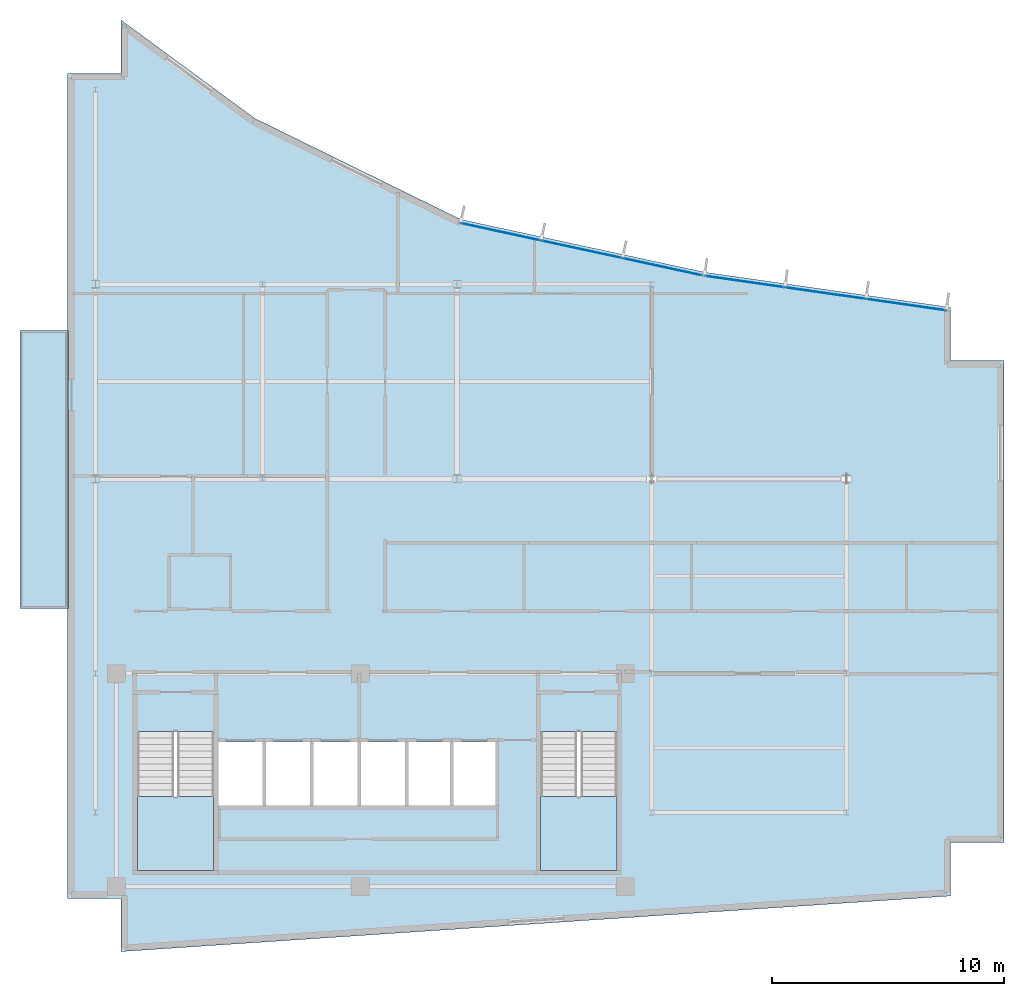
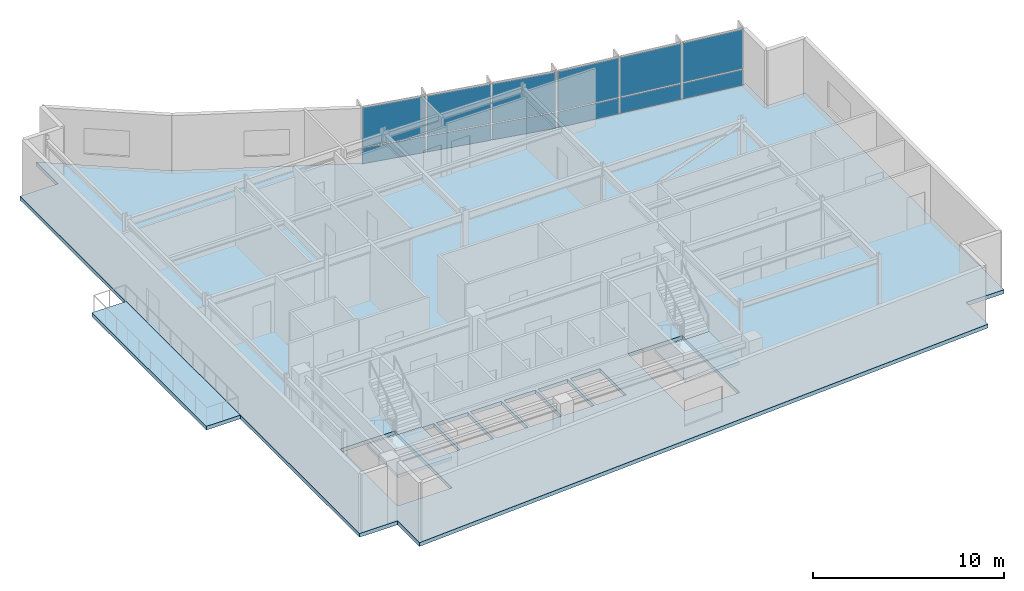
# One storey, part 9 of 16: 12 plates, 4 slabs, 4 elements without a shape of their own.
"""IFC4 building model written with IfcOpenShell, lengths in metres."""

from ifc_helpers import new_model, si_unit, direction, frame, origin, origin_2d, place, context, subcontext, project, spatial, polyline, rectangle, outline, extrude, material, layer, layer_set, type_object, element, aggregate, save


model = new_model("IFC4")

# Units and contexts
model_context = context("Model", 3, precision=1e-05, world=origin(), true_north=direction((0.0, 1.0)))
body_context = subcontext(model_context, "Body", "Model", "MODEL_VIEW")
ifc_project = project(units=[si_unit("LENGTHUNIT", "METRE"), si_unit("AREAUNIT", "SQUARE_METRE"), si_unit("VOLUMEUNIT", "CUBIC_METRE"), si_unit("PLANEANGLEUNIT", "RADIAN"), si_unit("MASSUNIT", "GRAM", prefix="KILO")], contexts=[model_context])

# Site, building, storey
site_placement = place(None, origin())
site = spatial("IfcSite", under=ifc_project, at=site_placement, CompositionType="ELEMENT")
building_placement = place(site_placement, origin())
building = spatial("IfcBuilding", under=site, at=building_placement, Name="Varnakote Quay Hospital", CompositionType="ELEMENT")
storey_placement = place(building_placement, frame((0.0, 0.0, 288.14990234375)))
storey = spatial("IfcBuildingStorey", under=building, at=storey_placement, Name="L71", CompositionType="ELEMENT", Elevation=288.14990234375)

# Curtain wall, plates
ifc_material_1 = material(Name="Anodised aluminium 6063-T6 Bronze", Category="aluminium")
ifc_layer_1 = layer(ifc_material_1, 0.235107421875)
ifc_layer_set_1 = layer_set([ifc_layer_1], Name="Anodised aluminium 6063-T6 Bronze")
curtain_wall_type = type_object("IfcCurtainWallType", Name="CW-SYS-5", PredefinedType="NOTDEFINED", material=ifc_layer_set_1)
curtain_wall_1_placement = place(storey_placement, origin())
curtain_wall_1 = element("IfcCurtainWall", 1, at=curtain_wall_1_placement, inside=storey, type_object=curtain_wall_type, Name="L71 Unitised Bronze Curtain Wall 1", PredefinedType="NOTDEFINED")
ifc_material_2 = material(Name="Double-glazed low-E solar glass", Category="glass")
ifc_layer_2 = layer(ifc_material_2, 0.028076171875)
ifc_layer_set_2 = layer_set([ifc_layer_2], Name="Double-glazed low-E solar glass")
plate_type = type_object("IfcPlateType", Name="CW-PNL-GLZ-28", PredefinedType="CURTAIN_PANEL", material=ifc_layer_set_2)
plate_1_placement = place(storey_placement, frame((36.174560546875, 27.913818359375, 0.065185546875), z_axis=(0.0, 0.0, 1.0), x_axis=(-0.989927979062, 0.141571876691, 0.0)))
plate_1 = element("IfcPlate", 2, at=plate_1_placement, type_object=plate_type, Name="-5-L71-1 panel 1.1", PredefinedType="CURTAIN_PANEL", context=body_context, shape_type="SweptSolid", body=[
    extrude(rectangle(XDim=3.436767578125, YDim=0.028076171875, at=origin_2d()), origin(), (0.0, 0.0, 1.0), 1.00244140625),
])
plate_2_placement = place(storey_placement, frame((36.174560546875, 27.913818359375, 1.1328125), z_axis=(0.0, 0.0, 1.0), x_axis=(-0.989927979062, 0.141571876691, 0.0)))
plate_2 = element("IfcPlate", 3, at=plate_2_placement, type_object=plate_type, Name="-5-L71-1 panel 1.2", PredefinedType="CURTAIN_PANEL", context=body_context, shape_type="SweptSolid", body=[
    extrude(rectangle(XDim=3.436767578125, YDim=0.028076171875, at=origin_2d()), origin(), (0.0, 0.0, 1.0), 2.512451171875),
])
plate_3_placement = place(storey_placement, frame((32.69189453125, 28.411865234375, 0.065185546875), z_axis=(0.0, 0.0, 1.0), x_axis=(-0.989927979062, 0.141571876691, 0.0)))
plate_3 = element("IfcPlate", 4, at=plate_3_placement, type_object=plate_type, Name="-5-L71-1 panel 2.1", PredefinedType="CURTAIN_PANEL", context=body_context, shape_type="SweptSolid", body=[
    extrude(rectangle(XDim=3.469482421875, YDim=0.028076171875, at=origin_2d()), origin(), (0.0, 0.0, 1.0), 1.00244140625),
])
plate_4_placement = place(storey_placement, frame((32.69189453125, 28.411865234375, 1.1328125), z_axis=(0.0, 0.0, 1.0), x_axis=(-0.989927979062, 0.141571876691, 0.0)))
plate_4 = element("IfcPlate", 5, at=plate_4_placement, type_object=plate_type, Name="-5-L71-1 panel 2.2", PredefinedType="CURTAIN_PANEL", context=body_context, shape_type="SweptSolid", body=[
    extrude(rectangle(XDim=3.469482421875, YDim=0.028076171875, at=origin_2d()), origin(), (0.0, 0.0, 1.0), 2.512451171875),
])
plate_5_placement = place(storey_placement, frame((29.209228515625, 28.909912109375, 0.065185546875), z_axis=(0.0, 0.0, 1.0), x_axis=(-0.989927979062, 0.141571876691, 0.0)))
plate_5 = element("IfcPlate", 6, at=plate_5_placement, type_object=plate_type, Name="-5-L71-1 panel 3.1", PredefinedType="CURTAIN_PANEL", context=body_context, shape_type="SweptSolid", body=[
    extrude(rectangle(XDim=3.436767578125, YDim=0.028076171875, at=origin_2d()), origin(), (0.0, 0.0, 1.0), 1.00244140625),
])
plate_6_placement = place(storey_placement, frame((29.209228515625, 28.909912109375, 1.1328125), z_axis=(0.0, 0.0, 1.0), x_axis=(-0.989927979062, 0.141571876691, 0.0)))
plate_6 = element("IfcPlate", 7, at=plate_6_placement, type_object=plate_type, Name="-5-L71-1 panel 3.2", PredefinedType="CURTAIN_PANEL", context=body_context, shape_type="SweptSolid", body=[
    extrude(rectangle(XDim=3.436767578125, YDim=0.028076171875, at=origin_2d()), origin(), (0.0, 0.0, 1.0), 2.512451171875),
])
aggregate(curtain_wall_1, [plate_1, plate_2, plate_3, plate_4, plate_5, plate_6])

curtain_wall_2_placement = place(storey_placement, origin())
curtain_wall_2 = element("IfcCurtainWall", 8, at=curtain_wall_2_placement, inside=storey, type_object=curtain_wall_type, Name="L71 Unitised Bronze Curtain Wall 2", PredefinedType="NOTDEFINED")
plate_7_placement = place(storey_placement, frame((25.673095703125, 29.54541015625, 0.065185546875), z_axis=(0.0, 0.0, 1.0), x_axis=(-0.97739794114, 0.211407815974, 0.0)))
plate_7 = element("IfcPlate", 9, at=plate_7_placement, type_object=plate_type, Name="-5-L71-2 panel 1.1", PredefinedType="CURTAIN_PANEL", context=body_context, shape_type="SweptSolid", body=[
    extrude(rectangle(XDim=3.4931640625, YDim=0.028076171875, at=origin_2d()), origin(), (0.0, 0.0, 1.0), 1.00244140625),
])
plate_8_placement = place(storey_placement, frame((25.673095703125, 29.54541015625, 1.1328125), z_axis=(0.0, 0.0, 1.0), x_axis=(-0.97739794114, 0.211407815974, 0.0)))
plate_8 = element("IfcPlate", 10, at=plate_8_placement, type_object=plate_type, Name="-5-L71-2 panel 1.2", PredefinedType="CURTAIN_PANEL", context=body_context, shape_type="SweptSolid", body=[
    extrude(rectangle(XDim=3.4931640625, YDim=0.028076171875, at=origin_2d()), origin(), (0.0, 0.0, 1.0), 2.512451171875),
])
plate_9_placement = place(storey_placement, frame((22.179443359375, 30.301025390625, 0.065185546875), z_axis=(0.0, 0.0, 1.0), x_axis=(-0.97739794114, 0.211407815974, 0.0)))
plate_9 = element("IfcPlate", 11, at=plate_9_placement, type_object=plate_type, Name="-5-L71-2 panel 2.1", PredefinedType="CURTAIN_PANEL", context=body_context, shape_type="SweptSolid", body=[
    extrude(rectangle(XDim=3.525634765625, YDim=0.028076171875, at=origin_2d()), origin(), (0.0, 0.0, 1.0), 1.00244140625),
])
plate_10_placement = place(storey_placement, frame((22.179443359375, 30.301025390625, 1.1328125), z_axis=(0.0, 0.0, 1.0), x_axis=(-0.97739794114, 0.211407815974, 0.0)))
plate_10 = element("IfcPlate", 12, at=plate_10_placement, type_object=plate_type, Name="-5-L71-2 panel 2.2", PredefinedType="CURTAIN_PANEL", context=body_context, shape_type="SweptSolid", body=[
    extrude(rectangle(XDim=3.525634765625, YDim=0.028076171875, at=origin_2d()), origin(), (0.0, 0.0, 1.0), 2.512451171875),
])
plate_11_placement = place(storey_placement, frame((18.685791015625, 31.056640625, 0.065185546875), z_axis=(0.0, 0.0, 1.0), x_axis=(-0.97739794114, 0.211407815974, 0.0)))
plate_11 = element("IfcPlate", 13, at=plate_11_placement, type_object=plate_type, Name="-5-L71-2 panel 3.1", PredefinedType="CURTAIN_PANEL", context=body_context, shape_type="SweptSolid", body=[
    extrude(rectangle(XDim=3.4931640625, YDim=0.028076171875, at=origin_2d()), origin(), (0.0, 0.0, 1.0), 1.00244140625),
])
plate_12_placement = place(storey_placement, frame((18.685791015625, 31.056640625, 1.1328125), z_axis=(0.0, 0.0, 1.0), x_axis=(-0.97739794114, 0.211407815974, 0.0)))
plate_12 = element("IfcPlate", 14, at=plate_12_placement, type_object=plate_type, Name="-5-L71-2 panel 3.2", PredefinedType="CURTAIN_PANEL", context=body_context, shape_type="SweptSolid", body=[
    extrude(rectangle(XDim=3.4931640625, YDim=0.028076171875, at=origin_2d()), origin(), (0.0, 0.0, 1.0), 2.512451171875),
])
aggregate(curtain_wall_2, [plate_7, plate_8, plate_9, plate_10, plate_11, plate_12])

# Stair, slab
ifc_material_3 = material(Name="Concrete N40 (f'c 40 MPa)", Category="concrete")
stair_type = type_object("IfcStairType", Name="STR-CORE-1580", PredefinedType="HALF_TURN_STAIR", material=ifc_material_3)
stair_1_placement = place(storey_placement, origin())
stair_1 = element("IfcStair", 15, at=stair_1_placement, inside=storey, type_object=stair_type, Name="L71 Fire-Isolated Exit Stair ST-01", PredefinedType="HALF_TURN_STAIR")
ifc_material_4 = material(Name="Concrete N40 (f'c 40 MPa)", Category="concrete")
ifc_layer_3 = layer(ifc_material_4, 0.199951171875)
ifc_layer_set_3 = layer_set([ifc_layer_3], Name="Concrete N40 (f'c 40 MPa)")
slab_type_1 = type_object("IfcSlabType", Name="SLB-STAIR-LND-200", PredefinedType="LANDING", material=ifc_layer_set_3)
slab_1_placement = place(storey_placement, frame((0.0, 0.0, 1.775146484375)))
slab_1 = element("IfcSlab", 16, at=slab_1_placement, type_object=slab_type_1, Name="ST-01 landing 1", PredefinedType="LANDING", context=body_context, shape_type="SweptSolid", body=[
    extrude(outline(polyline([(3.0, 6.699951171875), (3.0, 3.5), (6.300048828125, 3.5), (6.300048828125, 6.699951171875), (3.0, 6.699951171875)])), origin(), (0.0, 0.0, 1.0), 0.199951171875),
])
aggregate(stair_1, [slab_1])

stair_2_placement = place(storey_placement, origin())
stair_2 = element("IfcStair", 17, at=stair_2_placement, inside=storey, type_object=stair_type, Name="L71 Fire-Isolated Exit Stair ST-02", PredefinedType="HALF_TURN_STAIR")
slab_2_placement = place(storey_placement, frame((0.0, 0.0, 1.775146484375)))
slab_2 = element("IfcSlab", 18, at=slab_2_placement, type_object=slab_type_1, Name="ST-02 landing 1", PredefinedType="LANDING", context=body_context, shape_type="SweptSolid", body=[
    extrude(outline(polyline([(20.39990234375, 6.699951171875), (20.39990234375, 3.5), (23.699951171875, 3.5), (23.699951171875, 6.699951171875), (20.39990234375, 6.699951171875)])), origin(), (0.0, 0.0, 1.0), 0.199951171875),
])
aggregate(stair_2, [slab_2])

# Slabs
ifc_material_5 = material(Name="Concrete N50 (f'c 50 MPa)", Category="concrete")
ifc_layer_4 = layer(ifc_material_5, 0.239990234375)
ifc_layer_set_4 = layer_set([ifc_layer_4], Name="Concrete N50 (f'c 50 MPa)")
slab_type_2 = type_object("IfcSlabType", Name="SLB-TERR-200", PredefinedType="FLOOR", material=ifc_layer_set_4)
slab_3_placement = place(storey_placement, frame((0.0, 0.0, -0.239990234375)))
element("IfcSlab", 19, at=slab_3_placement, inside=storey, type_object=slab_type_2, Name="L71 Waterfront Healing Terrace Slab", PredefinedType="FLOOR", context=body_context, shape_type="SweptSolid", body=[
    extrude(outline(polyline([(0.00390625, 14.800048828125), (0.00390625, 26.800048828125), (-2.06005859375, 26.800048828125), (-2.06005859375, 14.800048828125), (0.00390625, 14.800048828125)])), origin(), (0.0, 0.0, 1.0), 0.239990234375),
])
ifc_material_6 = material(Name="Concrete N50 (f'c 50 MPa)", Category="concrete")
ifc_layer_5 = layer(ifc_material_6, 0.239990234375)
ifc_layer_set_5 = layer_set([ifc_layer_5], Name="Concrete N50 (f'c 50 MPa)")
slab_type_3 = type_object("IfcSlabType", Name="SLB-WARD-200", PredefinedType="FLOOR", material=ifc_layer_set_5)
slab_4_placement = place(storey_placement, frame((0.0, 0.0, -0.239990234375)))
element("IfcSlab", 20, at=slab_4_placement, inside=storey, type_object=slab_type_3, Name="L71 Primary Floor Slab", PredefinedType="FLOOR", context=body_context, shape_type="SweptSolid", body=[
    extrude(outline(polyline([(0.0, 2.300048828125), (2.300048828125, 2.300048828125), (2.300048828125, 0.0), (38.10009765625, 2.39990234375), (38.10009765625, 4.699951171875), (40.39990234375, 4.699951171875), (40.39990234375, 25.5), (38.10009765625, 25.5), (38.10009765625, 27.800048828125), (27.471923828125, 29.320068359375), (16.968017578125, 31.592041015625), (8.080078125, 35.951904296875), (2.300048828125, 40.199951171875), (2.300048828125, 37.89990234375), (0.0, 37.89990234375), (0.0, 2.300048828125)]), holes=[polyline([(3.0, 3.5), (6.300048828125, 3.5), (6.300048828125, 9.49951171875), (3.0, 9.49951171875), (3.0, 3.5)]), polyline([(20.39990234375, 3.5), (23.699951171875, 3.5), (23.699951171875, 9.49951171875), (20.39990234375, 9.49951171875), (20.39990234375, 3.5)]), polyline([(6.5, 6.300048828125), (8.39990234375, 6.300048828125), (8.39990234375, 9.050048828125), (6.5, 9.050048828125), (6.5, 6.300048828125)]), polyline([(8.550048828125, 6.300048828125), (10.449951171875, 6.300048828125), (10.449951171875, 9.050048828125), (8.550048828125, 9.050048828125), (8.550048828125, 6.300048828125)]), polyline([(10.60009765625, 6.300048828125), (12.5, 6.300048828125), (12.5, 9.050048828125), (10.60009765625, 9.050048828125), (10.60009765625, 6.300048828125)]), polyline([(12.64990234375, 6.300048828125), (14.550048828125, 6.300048828125), (14.550048828125, 9.050048828125), (12.64990234375, 9.050048828125), (12.64990234375, 6.300048828125)]), polyline([(14.699951171875, 6.300048828125), (16.5, 6.300048828125), (16.5, 9.050048828125), (14.699951171875, 9.050048828125), (14.699951171875, 6.300048828125)]), polyline([(16.64990234375, 6.300048828125), (18.449951171875, 6.300048828125), (18.449951171875, 9.050048828125), (16.64990234375, 9.050048828125), (16.64990234375, 6.300048828125)])]), origin(), (0.0, 0.0, 1.0), 0.239990234375),
])

save(model, "model.ifc")
